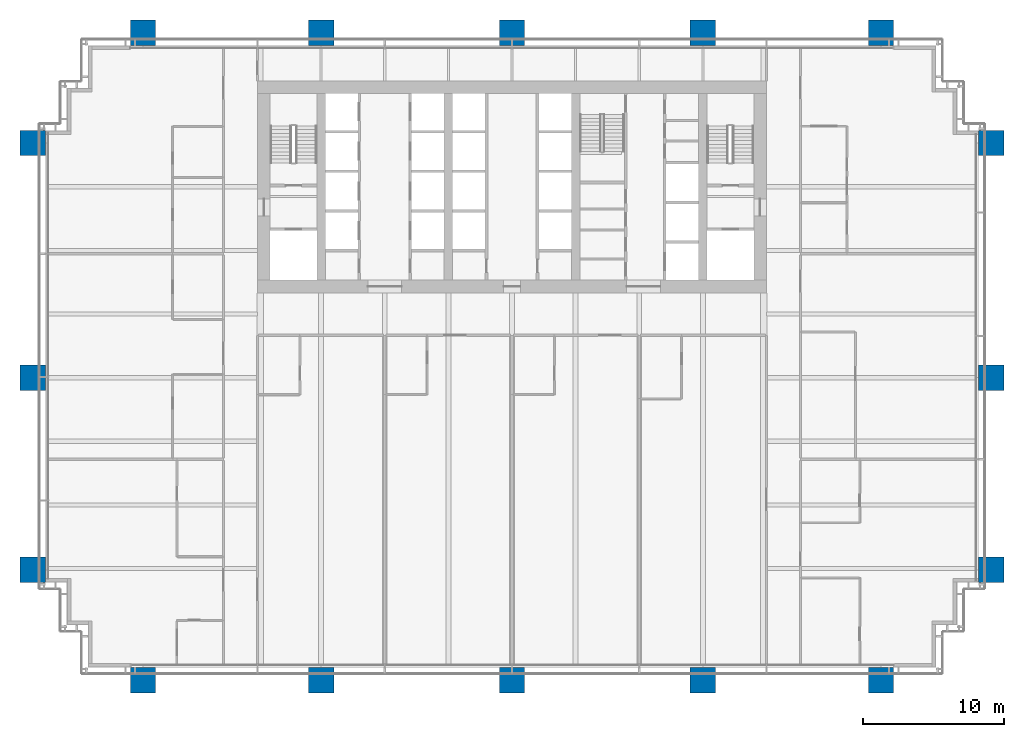
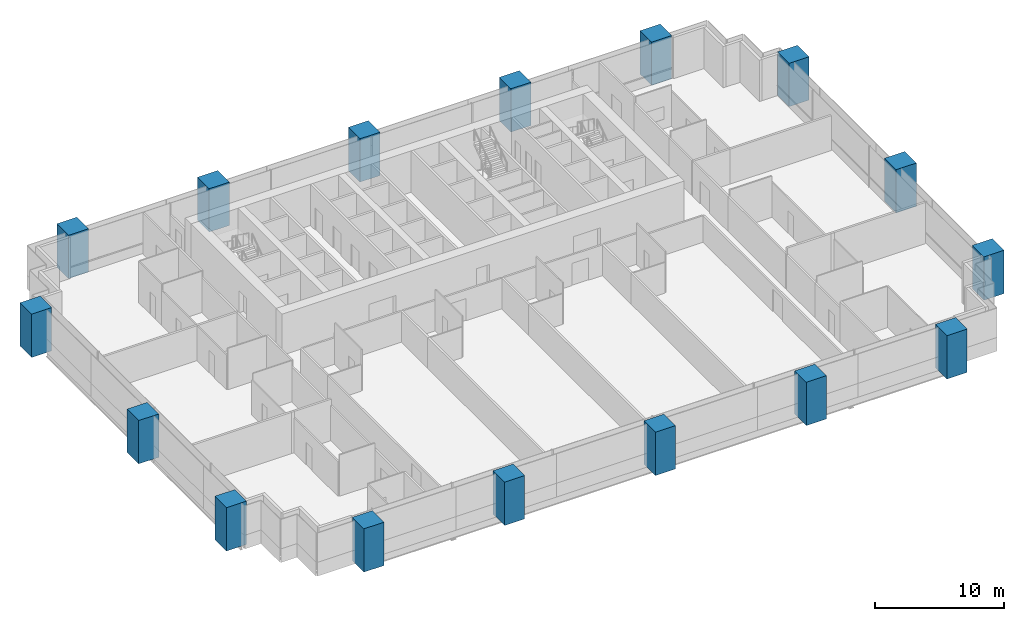
# One storey, part 1 of 19: 16 columns.
"""IFC4 building model written with IfcOpenShell, lengths in metres."""

from ifc_helpers import new_model, si_unit, direction, frame, origin, origin_2d, place, context, subcontext, project, spatial, rectangle, extrude, material, material_profile, profile_set, type_object, element, save


model = new_model("IFC4")

# Units and contexts
model_context = context("Model", 3, precision=1e-05, world=origin(), true_north=direction((0.0, 1.0)))
body_context = subcontext(model_context, "Body", "Model", "MODEL_VIEW")
ifc_project = project(units=[si_unit("LENGTHUNIT", "METRE"), si_unit("AREAUNIT", "SQUARE_METRE"), si_unit("VOLUMEUNIT", "CUBIC_METRE"), si_unit("PLANEANGLEUNIT", "RADIAN"), si_unit("MASSUNIT", "GRAM", prefix="KILO")], contexts=[model_context])

# Site, building, storey
site_placement = place(None, origin())
site = spatial("IfcSite", under=ifc_project, at=site_placement, CompositionType="ELEMENT")
building_placement = place(site_placement, origin())
building = spatial("IfcBuilding", under=site, at=building_placement, Name="Rattan Terrace Tower", CompositionType="ELEMENT")
storey_placement = place(building_placement, frame((0.0, 0.0, 65.199951171875)))
storey = spatial("IfcBuildingStorey", under=building, at=storey_placement, Name="L14", CompositionType="ELEMENT", Elevation=65.199951171875)

# Columns
ifc_material = material(Name="Concrete C60/75", Category="concrete")
ifc_material_profile = material_profile(ifc_material, rectangle(XDim=1.800048828125, YDim=1.800048828125, at=origin_2d()), Name="CFT 1800x1800")
ifc_profile_set = profile_set([ifc_material_profile], Name="Concrete C60/75")
column_type = type_object("IfcColumnType", Name="Frame exoskeleton column CFT 1800x1800", PredefinedType="COLUMN", material=ifc_profile_set)
for number, where, z_axis, x_axis, name in (
    (1, (-26.10009765625, -34.89990234375, -0.199951171875), (0.0, 0.0, 1.0), (1.0, 0.0, 0.0), "exo-L14-001"),
    (2, (-13.5, -34.89990234375, -0.199951171875), (0.0, 0.0, 1.0), (1.0, 0.0, 0.0), "exo-L14-002"),
    (3, (0.0, -34.89990234375, -0.199951171875), (0.0, 0.0, 1.0), (1.0, 0.0, 0.0), "exo-L14-003"),
    (4, (13.5, -34.89990234375, -0.199951171875), (0.0, 0.0, 1.0), (1.0, 0.0, 0.0), "exo-L14-004"),
    (5, (26.10009765625, -34.89990234375, -0.199951171875), (0.0, 0.0, 1.0), (1.0, 0.0, 0.0), "exo-L14-005"),
    (6, (-33.89990234375, -27.10009765625, -0.199951171875), (0.0, 0.0, 1.0), (0.0, 1.0, 0.0), "exo-L14-006"),
    (7, (33.89990234375, -27.10009765625, -0.199951171875), (0.0, 0.0, 1.0), (0.0, 1.0, 0.0), "exo-L14-007"),
    (8, (-33.89990234375, -13.5, -0.199951171875), (0.0, 0.0, 1.0), (0.0, 1.0, 0.0), "exo-L14-008"),
    (9, (33.89990234375, -13.5, -0.199951171875), (0.0, 0.0, 1.0), (0.0, 1.0, 0.0), "exo-L14-009"),
    (10, (-33.89990234375, 3.10009765625, -0.199951171875), (0.0, 0.0, 1.0), (0.0, 1.0, 0.0), "exo-L14-010"),
    (11, (33.89990234375, 3.10009765625, -0.199951171875), (0.0, 0.0, 1.0), (0.0, 1.0, 0.0), "exo-L14-011"),
    (12, (-26.10009765625, 10.89990234375, -0.199951171875), (0.0, 0.0, 1.0), (1.0, 0.0, 0.0), "exo-L14-012"),
    (13, (-13.5, 10.89990234375, -0.199951171875), (0.0, 0.0, 1.0), (1.0, 0.0, 0.0), "exo-L14-013"),
    (14, (0.0, 10.89990234375, -0.199951171875), (0.0, 0.0, 1.0), (1.0, 0.0, 0.0), "exo-L14-014"),
    (15, (13.5, 10.89990234375, -0.199951171875), (0.0, 0.0, 1.0), (1.0, 0.0, 0.0), "exo-L14-015"),
    (16, (26.10009765625, 10.89990234375, -0.199951171875), (0.0, 0.0, 1.0), (1.0, 0.0, 0.0), "exo-L14-016"),
):
    element("IfcColumn", number, at=place(storey_placement, frame(where, z_axis=z_axis, x_axis=x_axis)), inside=storey, type_object=column_type, Name=name, PredefinedType="COLUMN", context=body_context, shape_type="SweptSolid", body=[
        extrude(rectangle(XDim=1.800048828125, YDim=1.800048828125, at=origin_2d()), origin(), (0.0, 0.0, 1.0), 4.10009765625),
    ])

save(model, "model.ifc")
